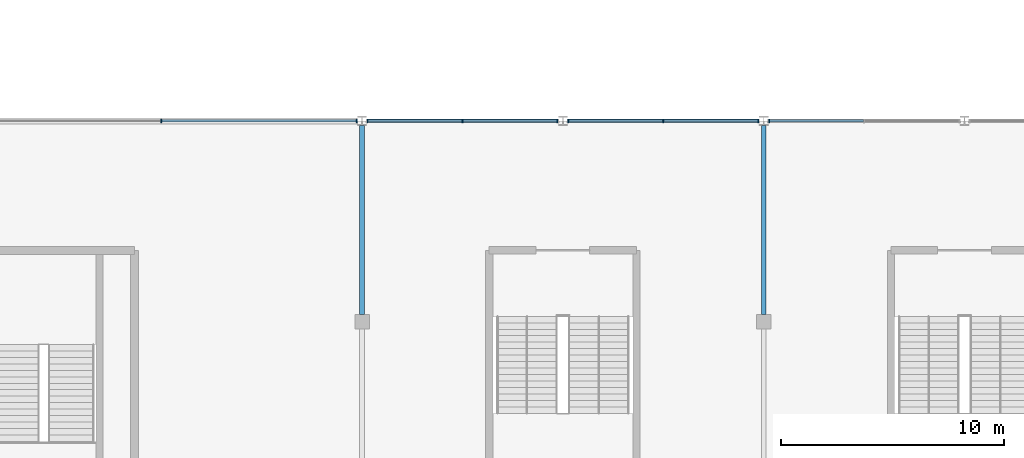
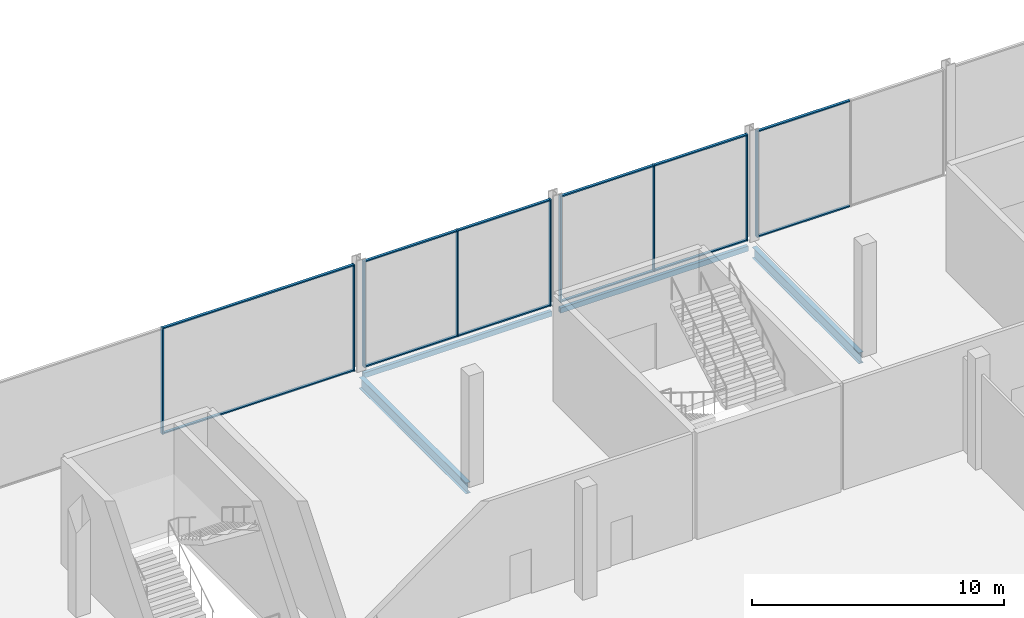
# One storey, part 23 of 111: 21 members, 4 beams, 4 elements without a shape of their own.
"""IFC4 building model written with IfcOpenShell, lengths in metres."""

import ifcopenshell
import ifcopenshell.guid

model = None  # the IFC model being written
_history = None  # IfcOwnerHistory: only IFC2X3 demands one
_inside = {}  # id of a spatial element -> (the spatial element, [elements in it])
_under = {}  # id of a project, library or spatial element -> (it, [spatial elements below it])
_declared = {}  # id of a project -> (the project, [libraries it declares])
_typed = {}  # id of a type object -> (the type object, [elements of that type])
_made_of = {}  # id of a material, layer set ... -> (it, [elements and type objects made of it])


def new_model(schema):
    """Start an empty IFC model of exactly this schema.

    Asked for "IFC4X3", IfcOpenShell would pick the latest addendum, in which some entities
    have other attributes; the version numbers below select the first issue.
    IFC2X3 requires an IfcOwnerHistory on every rooted entity: one is made here for all.
    """
    global model, _history
    if schema == "IFC4X3":
        model = ifcopenshell.file(schema_version=(4, 3, 0, 0))
    else:
        model = ifcopenshell.file(schema=schema)
    _inside.clear()
    _under.clear()
    _declared.clear()
    _typed.clear()
    _made_of.clear()
    _history = None
    if model.schema == "IFC2X3":
        org = make("IfcOrganization", Name="unknown")
        user = make(
            "IfcPersonAndOrganization",
            ThePerson=make("IfcPerson", FamilyName="unknown"),
            TheOrganization=org,
        )
        app = make(
            "IfcApplication",
            ApplicationDeveloper=org,
            Version="unknown",
            ApplicationFullName="unknown",
            ApplicationIdentifier="unknown",
        )
        _history = make(
            "IfcOwnerHistory",
            OwningUser=user,
            OwningApplication=app,
            ChangeAction="ADDED",
            CreationDate=0,
        )
    return model


def make(cls, **values):
    """One entity of the class cls with the attributes given. An attribute that is None is left unset."""
    return model.create_entity(
        cls, **{name: value for name, value in values.items() if value is not None}
    )


def rooted(cls, **values):
    """An entity with a GlobalId (a new one), such as an element, a storey or a relation."""
    return make(cls, GlobalId=ifcopenshell.guid.new(), OwnerHistory=_history, **values)


def si_unit(unit_type, name, prefix=None):
    """IfcSIUnit, for example si_unit("LENGTHUNIT", "METRE", prefix="MILLI")."""
    return make("IfcSIUnit", UnitType=unit_type, Prefix=prefix, Name=name)


def assignment(units):
    """IfcUnitAssignment: the units of a project."""
    return None if units is None else make("IfcUnitAssignment", Units=units)


def point(xyz):
    """IfcCartesianPoint."""
    return None if xyz is None else make("IfcCartesianPoint", Coordinates=xyz)


def direction(xyz):
    """IfcDirection."""
    return None if xyz is None else make("IfcDirection", DirectionRatios=xyz)


def frame(location, z_axis=None, x_axis=None):
    """IfcAxis2Placement3D, a coordinate frame: its origin and axes. An axis left out is left unset."""
    return make(
        "IfcAxis2Placement3D",
        Location=point(location),
        Axis=direction(z_axis),
        RefDirection=direction(x_axis),
    )


def frame_2d(location, x_axis=None):
    """IfcAxis2Placement2D, a coordinate frame in the plane: its origin and x axis."""
    return make(
        "IfcAxis2Placement2D", Location=point(location), RefDirection=direction(x_axis)
    )


def origin():
    """The frame at (0, 0, 0) with its axes left unset."""
    return frame((0.0, 0.0, 0.0))


def origin_2d():
    """The frame at (0, 0) in the plane with its x axis left unset."""
    return frame_2d((0.0, 0.0))


def place(relative_to, where):
    """IfcLocalPlacement: puts the frame where relative to a parent placement (None: the world)."""
    return make(
        "IfcLocalPlacement", PlacementRelTo=relative_to, RelativePlacement=where
    )


def context(
    kind, dimensions, precision=None, world=None, true_north=None, identifier=None
):
    """IfcGeometricRepresentationContext, for example the 3D "Model" context."""
    return make(
        "IfcGeometricRepresentationContext",
        ContextIdentifier=identifier,
        ContextType=kind,
        CoordinateSpaceDimension=dimensions,
        Precision=precision,
        WorldCoordinateSystem=world,
        TrueNorth=true_north,
    )


def subcontext(parent, identifier, kind, view, scale=None):
    """IfcGeometricRepresentationSubContext, for example "Body" below "Model"."""
    return make(
        "IfcGeometricRepresentationSubContext",
        ContextIdentifier=identifier,
        ContextType=kind,
        ParentContext=parent,
        TargetScale=scale,
        TargetView=view,
    )


def project(units=None, contexts=None):
    """IfcProject with its units and contexts."""
    return rooted(
        "IfcProject",
        Name="project",
        RepresentationContexts=contexts,
        UnitsInContext=assignment(units),
    )


def spatial(cls, under=None, at=None, **own):
    """A site, building, storey or space (cls), placed at a placement, below another one or the project."""
    s = rooted(cls, ObjectPlacement=at, **own)
    if under is not None:
        _under.setdefault(under.id(), (under, []))[1].append(s)
    return s


def profile(cls, at=None, kind="AREA", **sizes):
    """A parametric profile (cls). Its sizes go by their IFC names, for example OverallWidth=200.0."""
    return make(cls, ProfileType=kind, Position=at, **sizes)


def rectangle(**sizes):
    """IfcRectangleProfileDef."""
    return profile("IfcRectangleProfileDef", **sizes)


def hollow_rectangle(**sizes):
    """IfcRectangleHollowProfileDef."""
    return profile("IfcRectangleHollowProfileDef", **sizes)


def i_section(**sizes):
    """IfcIShapeProfileDef."""
    return profile("IfcIShapeProfileDef", **sizes)


def extrude(swept, where, along, depth):
    """IfcExtrudedAreaSolid: the profile swept, set in the frame where, extruded along a direction by depth."""
    return make(
        "IfcExtrudedAreaSolid",
        SweptArea=swept,
        Position=where,
        ExtrudedDirection=direction(along),
        Depth=depth,
    )


def shape(context_of_items, identifier, shape_type, items):
    """IfcShapeRepresentation: the items that make up one representation, for example the "Body"."""
    return make(
        "IfcShapeRepresentation",
        ContextOfItems=context_of_items,
        RepresentationIdentifier=identifier,
        RepresentationType=shape_type,
        Items=items,
    )


def material(Name=None, Category=None):
    """IfcMaterial."""
    return make("IfcMaterial", Name=Name, Category=Category)


def layer(
    of_material, thickness, ventilated=None, Name=None, Category=None, Priority=None
):
    """IfcMaterialLayer: one layer of a wall or slab, of a material (None: an air gap)."""
    return make(
        "IfcMaterialLayer",
        Material=of_material,
        LayerThickness=thickness,
        IsVentilated=ventilated,
        Name=Name,
        Category=Category,
        Priority=Priority,
    )


def layer_set(layers, Name=None):
    """IfcMaterialLayerSet."""
    return make("IfcMaterialLayerSet", MaterialLayers=layers, LayerSetName=Name)


def material_profile(
    of_material, cross_section, Name=None, Category=None, Priority=None
):
    """IfcMaterialProfile: a cross section and its material."""
    return make(
        "IfcMaterialProfile",
        Name=Name,
        Material=of_material,
        Profile=cross_section,
        Priority=Priority,
        Category=Category,
    )


def profile_set(profiles, Name=None, composite=None):
    """IfcMaterialProfileSet."""
    return make(
        "IfcMaterialProfileSet",
        Name=Name,
        MaterialProfiles=profiles,
        CompositeProfile=composite,
    )


def made_of(thing, what):
    """Note that an element or type object is made of a material, layer set ...; save() writes the relation."""
    if what is not None:
        _made_of.setdefault(what.id(), (what, []))[1].append(thing)
    return thing


def type_object(cls, material=None, **own):
    """A type object (cls), such as IfcWallType, which elements share."""
    return made_of(rooted(cls, **own), material)


def element(
    cls,
    number,
    at=None,
    inside=None,
    cuts=None,
    type_object=None,
    material=None,
    context=None,
    identifier="Body",
    shape_type=None,
    held_by="IfcProductDefinitionShape",
    body=None,
    shapes=None,
    **own,
):
    """One element of the class cls, such as IfcWall. Its Tag is "e" and its number.

    at: its placement. inside: the storey or other place that contains it. cuts: it is an
    opening in that element (IfcRelVoidsElement). A single representation is given by context,
    identifier, shape_type and body (its items); several are given by shapes. held_by: the class
    of the entity that holds the representations. save() writes the other relations.
    """
    e = rooted(cls, Tag="e%d" % number, ObjectPlacement=at, **own)
    if body is not None:
        shapes = [shape(context, identifier, shape_type, body)]
    if shapes is not None:
        e.Representation = make(held_by, Representations=shapes)
    if inside is not None:
        _inside.setdefault(inside.id(), (inside, []))[1].append(e)
    if cuts is not None:
        rooted(
            "IfcRelVoidsElement", RelatingBuildingElement=cuts, RelatedOpeningElement=e
        )
    if type_object is not None:
        _typed.setdefault(type_object.id(), (type_object, []))[1].append(e)
    return made_of(e, material)


def aggregate(whole, parts):
    """IfcRelAggregates: a whole, such as a stair, and the parts it consists of."""
    return rooted("IfcRelAggregates", RelatingObject=whole, RelatedObjects=parts)


def save(model, path):
    """Write the relations noted so far, then the file.

    IfcRelAggregates (storeys below a building ...), IfcRelContainedInSpatialStructure (elements
    in a storey), IfcRelDefinesByType, IfcRelAssociatesMaterial and IfcRelDeclares: one each for
    every whole, place, type object, material and project.
    """
    for whole, parts in _under.values():
        aggregate(whole, parts)
    for where, things in _inside.values():
        rooted(
            "IfcRelContainedInSpatialStructure",
            RelatedElements=things,
            RelatingStructure=where,
        )
    for kind, things in _typed.values():
        rooted("IfcRelDefinesByType", RelatedObjects=things, RelatingType=kind)
    for what, things in _made_of.values():
        rooted("IfcRelAssociatesMaterial", RelatedObjects=things, RelatingMaterial=what)
    for by, libraries in _declared.values():
        rooted("IfcRelDeclares", RelatingContext=by, RelatedDefinitions=libraries)
    model.write(path)


model = new_model("IFC4")

# Units and contexts
model_context = context("Model", 3, precision=1e-05, world=origin(), true_north=direction((0.0, 1.0)))
body_context = subcontext(model_context, "Body", "Model", "MODEL_VIEW")
ifc_project = project(units=[si_unit("LENGTHUNIT", "METRE"), si_unit("AREAUNIT", "SQUARE_METRE"), si_unit("VOLUMEUNIT", "CUBIC_METRE"), si_unit("PLANEANGLEUNIT", "RADIAN"), si_unit("MASSUNIT", "GRAM", prefix="KILO")], contexts=[model_context])

# Site, building, storey
site_placement = place(None, origin())
site = spatial("IfcSite", under=ifc_project, at=site_placement, CompositionType="ELEMENT")
building_placement = place(site_placement, origin())
building = spatial("IfcBuilding", under=site, at=building_placement, Name="Kisiwana Market Hall", CompositionType="ELEMENT")
storey_placement = place(building_placement, frame((0.0, 0.0, 11.39990234375)))
storey = spatial("IfcBuildingStorey", under=building, at=storey_placement, Name="L02", CompositionType="ELEMENT", Elevation=11.39990234375)

# Beams
ifc_material_1 = material(Name="Steel S355", Category="steel")
ifc_material_profile_1 = material_profile(ifc_material_1, i_section(OverallWidth=0.209228515625, OverallDepth=0.533203125, WebThickness=0.010009765625, FlangeThickness=0.015625, at=origin_2d()), Name="UB 533x210x92")
ifc_profile_set_1 = profile_set([ifc_material_profile_1], Name="Steel S355")
beam_type_1 = type_object("IfcBeamType", Name="BM-GIRD-UB533", PredefinedType="BEAM", material=ifc_profile_set_1)
for number, where, z_axis, x_axis, name in (
    (1, (81.0, 27.321044921875, -0.516357421875), (0.0, 1.0, 0.0), (-1.0, 0.0, 0.0), "Primary girder B-0639"),
    (2, (99.0, 27.321044921875, -0.516357421875), (0.0, 1.0, 0.0), (-1.0, 0.0, 0.0), "Primary girder B-0645"),
):
    element("IfcBeam", number, at=place(storey_placement, frame(where, z_axis=z_axis, x_axis=x_axis)), inside=storey, type_object=beam_type_1, Name=name, PredefinedType="BEAM", context=body_context, shape_type="SweptSolid", body=[
        extrude(i_section(OverallWidth=0.209228515625, OverallDepth=0.533203125, WebThickness=0.010009765625, FlangeThickness=0.015625, at=origin_2d()), origin(), (0.0, 0.0, 1.0), 8.465576171875),
    ])
ifc_material_2 = material(Name="Steel S355", Category="steel")
ifc_material_profile_2 = material_profile(ifc_material_2, hollow_rectangle(XDim=0.14990234375, YDim=0.25, WallThickness=0.010009765625, at=origin_2d()), Name="RHS 250x150x10.0")
ifc_profile_set_2 = profile_set([ifc_material_profile_2], Name="Steel S355")
beam_type_2 = type_object("IfcBeamType", Name="BM-SPAN-RHS250", PredefinedType="SPANDREL", material=ifc_profile_set_2)
for number, where, z_axis, x_axis, name in (
    (3, (81.201904296875, 36.0, -0.375), (1.0, 0.0, 0.0), (0.0, 1.0, 0.0), "Floor beam B-0761"),
    (4, (90.201904296875, 36.0, -0.375), (1.0, 0.0, 0.0), (0.0, 1.0, 0.0), "Floor beam B-0762"),
):
    element("IfcBeam", number, at=place(storey_placement, frame(where, z_axis=z_axis, x_axis=x_axis)), inside=storey, type_object=beam_type_2, Name=name, PredefinedType="SPANDREL", context=body_context, shape_type="SweptSolid", body=[
        extrude(hollow_rectangle(XDim=0.14990234375, YDim=0.25, WallThickness=0.010009765625, at=origin_2d()), origin(), (0.0, 0.0, 1.0), 8.59619140625),
    ])

# Curtain wall, members
ifc_material_3 = material(Name="Double-glazed solar-control low-E IGU", Category="glass")
ifc_layer = layer(ifc_material_3, 0.159912109375)
ifc_layer_set = layer_set([ifc_layer], Name="CW-GLD-E-7200")
curtain_wall_type = type_object("IfcCurtainWallType", Name="CW-GLD-E-7200", PredefinedType="USERDEFINED", material=ifc_layer_set)
curtain_wall_1_placement = place(storey_placement, origin())
curtain_wall_1 = element("IfcCurtainWall", 5, at=curtain_wall_1_placement, inside=storey, type_object=curtain_wall_type, Name="Unitised curtain wall CW-064 (L02)", ObjectType="UNITISED CURTAIN WALL", PredefinedType="USERDEFINED")
ifc_material_4 = material(Name="Aluminium alloy 6063-T6", Category="aluminium")
ifc_material_profile_3 = material_profile(ifc_material_4, rectangle(XDim=0.06005859375, YDim=0.159912109375, at=origin_2d()), Name="ALU MULLION 60x160")
ifc_profile_set_3 = profile_set([ifc_material_profile_3], Name="Aluminium alloy 6063-T6")
member_type_1 = type_object("IfcMemberType", Name="CW-MULL-60x160", PredefinedType="MULLION", material=ifc_profile_set_3)
member_1_placement = place(storey_placement, frame((72.0, 36.0, 0.0), z_axis=(0.0, 0.0, 1.0), x_axis=(1.0, 0.0, 0.0)))
member_1 = element("IfcMember", 6, at=member_1_placement, type_object=member_type_1, Name="CW-064 mullion 2", PredefinedType="MULLION", context=body_context, shape_type="SweptSolid", body=[
    extrude(rectangle(XDim=0.06005859375, YDim=0.159912109375, at=origin_2d()), origin(), (0.0, 0.0, 1.0), 5.150146484375),
])
member_2_placement = place(storey_placement, frame((80.763916015625, 36.0, 0.0), z_axis=(0.0, 0.0, 1.0), x_axis=(1.0, 0.0, 0.0)))
member_2 = element("IfcMember", 7, at=member_2_placement, type_object=member_type_1, Name="CW-064 mullion 3", PredefinedType="MULLION", context=body_context, shape_type="SweptSolid", body=[
    extrude(rectangle(XDim=0.06005859375, YDim=0.159912109375, at=origin_2d()), origin(), (0.0, 0.0, 1.0), 5.150146484375),
])

curtain_wall_2_placement = place(storey_placement, origin())
curtain_wall_2 = element("IfcCurtainWall", 8, at=curtain_wall_2_placement, inside=storey, type_object=curtain_wall_type, Name="Unitised curtain wall CW-065 (L02)", ObjectType="UNITISED CURTAIN WALL", PredefinedType="USERDEFINED")
member_3_placement = place(storey_placement, frame((81.236083984375, 36.0, 0.0), z_axis=(0.0, 0.0, 1.0), x_axis=(1.0, 0.0, 0.0)))
member_3 = element("IfcMember", 9, at=member_3_placement, type_object=member_type_1, Name="CW-065 mullion 1", PredefinedType="MULLION", context=body_context, shape_type="SweptSolid", body=[
    extrude(rectangle(XDim=0.06005859375, YDim=0.159912109375, at=origin_2d()), origin(), (0.0, 0.0, 1.0), 5.150146484375),
])
member_4_placement = place(storey_placement, frame((85.5, 36.0, 0.0), z_axis=(0.0, 0.0, 1.0), x_axis=(1.0, 0.0, 0.0)))
member_4 = element("IfcMember", 10, at=member_4_placement, type_object=member_type_1, Name="CW-065 mullion 2", PredefinedType="MULLION", context=body_context, shape_type="SweptSolid", body=[
    extrude(rectangle(XDim=0.06005859375, YDim=0.159912109375, at=origin_2d()), origin(), (0.0, 0.0, 1.0), 5.150146484375),
])
member_5_placement = place(storey_placement, frame((89.763916015625, 36.0, 0.0), z_axis=(0.0, 0.0, 1.0), x_axis=(1.0, 0.0, 0.0)))
member_5 = element("IfcMember", 11, at=member_5_placement, type_object=member_type_1, Name="CW-065 mullion 3", PredefinedType="MULLION", context=body_context, shape_type="SweptSolid", body=[
    extrude(rectangle(XDim=0.06005859375, YDim=0.159912109375, at=origin_2d()), origin(), (0.0, 0.0, 1.0), 5.150146484375),
])

curtain_wall_3_placement = place(storey_placement, origin())
curtain_wall_3 = element("IfcCurtainWall", 12, at=curtain_wall_3_placement, inside=storey, type_object=curtain_wall_type, Name="Unitised curtain wall CW-066 (L02)", ObjectType="UNITISED CURTAIN WALL", PredefinedType="USERDEFINED")
member_6_placement = place(storey_placement, frame((90.236083984375, 36.0, 0.0), z_axis=(0.0, 0.0, 1.0), x_axis=(1.0, 0.0, 0.0)))
member_6 = element("IfcMember", 13, at=member_6_placement, type_object=member_type_1, Name="CW-066 mullion 1", PredefinedType="MULLION", context=body_context, shape_type="SweptSolid", body=[
    extrude(rectangle(XDim=0.06005859375, YDim=0.159912109375, at=origin_2d()), origin(), (0.0, 0.0, 1.0), 5.150146484375),
])
member_7_placement = place(storey_placement, frame((94.5, 36.0, 0.0), z_axis=(0.0, 0.0, 1.0), x_axis=(1.0, 0.0, 0.0)))
member_7 = element("IfcMember", 14, at=member_7_placement, type_object=member_type_1, Name="CW-066 mullion 2", PredefinedType="MULLION", context=body_context, shape_type="SweptSolid", body=[
    extrude(rectangle(XDim=0.06005859375, YDim=0.159912109375, at=origin_2d()), origin(), (0.0, 0.0, 1.0), 5.150146484375),
])
member_8_placement = place(storey_placement, frame((98.763916015625, 36.0, 0.0), z_axis=(0.0, 0.0, 1.0), x_axis=(1.0, 0.0, 0.0)))
member_8 = element("IfcMember", 15, at=member_8_placement, type_object=member_type_1, Name="CW-066 mullion 3", PredefinedType="MULLION", context=body_context, shape_type="SweptSolid", body=[
    extrude(rectangle(XDim=0.06005859375, YDim=0.159912109375, at=origin_2d()), origin(), (0.0, 0.0, 1.0), 5.150146484375),
])

# Curtain wall, member
curtain_wall_4_placement = place(storey_placement, origin())
curtain_wall_4 = element("IfcCurtainWall", 16, at=curtain_wall_4_placement, inside=storey, type_object=curtain_wall_type, Name="Unitised curtain wall CW-067 (L02)", ObjectType="UNITISED CURTAIN WALL", PredefinedType="USERDEFINED")
member_9_placement = place(storey_placement, frame((99.236083984375, 36.0, 0.0), z_axis=(0.0, 0.0, 1.0), x_axis=(1.0, 0.0, 0.0)))
member_9 = element("IfcMember", 17, at=member_9_placement, type_object=member_type_1, Name="CW-067 mullion 1", PredefinedType="MULLION", context=body_context, shape_type="SweptSolid", body=[
    extrude(rectangle(XDim=0.06005859375, YDim=0.159912109375, at=origin_2d()), origin(), (0.0, 0.0, 1.0), 5.150146484375),
])

# Member
ifc_material_5 = material(Name="Aluminium alloy 6063-T6", Category="aluminium")
ifc_material_profile_4 = material_profile(ifc_material_5, rectangle(XDim=0.1201171875, YDim=0.06005859375, at=origin_2d()), Name="ALU TRANSOM 60x120")
ifc_profile_set_4 = profile_set([ifc_material_profile_4], Name="Aluminium alloy 6063-T6")
member_type_2 = type_object("IfcMemberType", Name="CW-TRAN-60x120", PredefinedType="USERDEFINED", material=ifc_profile_set_4)
member_10_placement = place(storey_placement, frame((72.030029296875, 36.0, 0.030029296875), z_axis=(1.0, 0.0, 0.0), x_axis=(0.0, 1.0, 0.0)))
member_10 = element("IfcMember", 18, at=member_10_placement, type_object=member_type_2, Name="CW-064 transom 2.1", ObjectType="TRANSOM", PredefinedType="USERDEFINED", context=body_context, shape_type="SweptSolid", body=[
    extrude(rectangle(XDim=0.1201171875, YDim=0.06005859375, at=origin_2d()), origin(), (0.0, 0.0, 1.0), 8.703857421875),
])

member_11_placement = place(storey_placement, frame((72.030029296875, 36.0, 5.1201171875), z_axis=(1.0, 0.0, 0.0), x_axis=(0.0, 1.0, 0.0)))
member_11 = element("IfcMember", 19, at=member_11_placement, type_object=member_type_2, Name="CW-064 transom 2.2", ObjectType="TRANSOM", PredefinedType="USERDEFINED", context=body_context, shape_type="SweptSolid", body=[
    extrude(rectangle(XDim=0.1201171875, YDim=0.06005859375, at=origin_2d()), origin(), (0.0, 0.0, 1.0), 8.703857421875),
])

aggregate(curtain_wall_1, [member_1, member_2, member_10, member_11])

member_12_placement = place(storey_placement, frame((81.26611328125, 36.0, 0.030029296875), z_axis=(1.0, 0.0, 0.0), x_axis=(0.0, 1.0, 0.0)))
member_12 = element("IfcMember", 20, at=member_12_placement, type_object=member_type_2, Name="CW-065 transom 1.1", ObjectType="TRANSOM", PredefinedType="USERDEFINED", context=body_context, shape_type="SweptSolid", body=[
    extrude(rectangle(XDim=0.1201171875, YDim=0.06005859375, at=origin_2d()), origin(), (0.0, 0.0, 1.0), 4.203857421875),
])

member_13_placement = place(storey_placement, frame((81.26611328125, 36.0, 5.1201171875), z_axis=(1.0, 0.0, 0.0), x_axis=(0.0, 1.0, 0.0)))
member_13 = element("IfcMember", 21, at=member_13_placement, type_object=member_type_2, Name="CW-065 transom 1.2", ObjectType="TRANSOM", PredefinedType="USERDEFINED", context=body_context, shape_type="SweptSolid", body=[
    extrude(rectangle(XDim=0.1201171875, YDim=0.06005859375, at=origin_2d()), origin(), (0.0, 0.0, 1.0), 4.203857421875),
])

member_14_placement = place(storey_placement, frame((85.530029296875, 36.0, 0.030029296875), z_axis=(1.0, 0.0, 0.0), x_axis=(0.0, 1.0, 0.0)))
member_14 = element("IfcMember", 22, at=member_14_placement, type_object=member_type_2, Name="CW-065 transom 2.1", ObjectType="TRANSOM", PredefinedType="USERDEFINED", context=body_context, shape_type="SweptSolid", body=[
    extrude(rectangle(XDim=0.1201171875, YDim=0.06005859375, at=origin_2d()), origin(), (0.0, 0.0, 1.0), 4.203857421875),
])

member_15_placement = place(storey_placement, frame((85.530029296875, 36.0, 5.1201171875), z_axis=(1.0, 0.0, 0.0), x_axis=(0.0, 1.0, 0.0)))
member_15 = element("IfcMember", 23, at=member_15_placement, type_object=member_type_2, Name="CW-065 transom 2.2", ObjectType="TRANSOM", PredefinedType="USERDEFINED", context=body_context, shape_type="SweptSolid", body=[
    extrude(rectangle(XDim=0.1201171875, YDim=0.06005859375, at=origin_2d()), origin(), (0.0, 0.0, 1.0), 4.203857421875),
])

aggregate(curtain_wall_2, [member_3, member_4, member_5, member_12, member_13, member_14, member_15])

member_16_placement = place(storey_placement, frame((90.26611328125, 36.0, 0.030029296875), z_axis=(1.0, 0.0, 0.0), x_axis=(0.0, 1.0, 0.0)))
member_16 = element("IfcMember", 24, at=member_16_placement, type_object=member_type_2, Name="CW-066 transom 1.1", ObjectType="TRANSOM", PredefinedType="USERDEFINED", context=body_context, shape_type="SweptSolid", body=[
    extrude(rectangle(XDim=0.1201171875, YDim=0.06005859375, at=origin_2d()), origin(), (0.0, 0.0, 1.0), 4.203857421875),
])

member_17_placement = place(storey_placement, frame((90.26611328125, 36.0, 5.1201171875), z_axis=(1.0, 0.0, 0.0), x_axis=(0.0, 1.0, 0.0)))
member_17 = element("IfcMember", 25, at=member_17_placement, type_object=member_type_2, Name="CW-066 transom 1.2", ObjectType="TRANSOM", PredefinedType="USERDEFINED", context=body_context, shape_type="SweptSolid", body=[
    extrude(rectangle(XDim=0.1201171875, YDim=0.06005859375, at=origin_2d()), origin(), (0.0, 0.0, 1.0), 4.203857421875),
])

member_18_placement = place(storey_placement, frame((94.530029296875, 36.0, 0.030029296875), z_axis=(1.0, 0.0, 0.0), x_axis=(0.0, 1.0, 0.0)))
member_18 = element("IfcMember", 26, at=member_18_placement, type_object=member_type_2, Name="CW-066 transom 2.1", ObjectType="TRANSOM", PredefinedType="USERDEFINED", context=body_context, shape_type="SweptSolid", body=[
    extrude(rectangle(XDim=0.1201171875, YDim=0.06005859375, at=origin_2d()), origin(), (0.0, 0.0, 1.0), 4.203857421875),
])

member_19_placement = place(storey_placement, frame((94.530029296875, 36.0, 5.1201171875), z_axis=(1.0, 0.0, 0.0), x_axis=(0.0, 1.0, 0.0)))
member_19 = element("IfcMember", 27, at=member_19_placement, type_object=member_type_2, Name="CW-066 transom 2.2", ObjectType="TRANSOM", PredefinedType="USERDEFINED", context=body_context, shape_type="SweptSolid", body=[
    extrude(rectangle(XDim=0.1201171875, YDim=0.06005859375, at=origin_2d()), origin(), (0.0, 0.0, 1.0), 4.203857421875),
])

aggregate(curtain_wall_3, [member_6, member_7, member_8, member_16, member_17, member_18, member_19])

member_20_placement = place(storey_placement, frame((99.26611328125, 36.0, 0.030029296875), z_axis=(1.0, 0.0, 0.0), x_axis=(0.0, 1.0, 0.0)))
member_20 = element("IfcMember", 28, at=member_20_placement, type_object=member_type_2, Name="CW-067 transom 1.1", ObjectType="TRANSOM", PredefinedType="USERDEFINED", context=body_context, shape_type="SweptSolid", body=[
    extrude(rectangle(XDim=0.1201171875, YDim=0.06005859375, at=origin_2d()), origin(), (0.0, 0.0, 1.0), 4.203857421875),
])

member_21_placement = place(storey_placement, frame((99.26611328125, 36.0, 5.1201171875), z_axis=(1.0, 0.0, 0.0), x_axis=(0.0, 1.0, 0.0)))
member_21 = element("IfcMember", 29, at=member_21_placement, type_object=member_type_2, Name="CW-067 transom 1.2", ObjectType="TRANSOM", PredefinedType="USERDEFINED", context=body_context, shape_type="SweptSolid", body=[
    extrude(rectangle(XDim=0.1201171875, YDim=0.06005859375, at=origin_2d()), origin(), (0.0, 0.0, 1.0), 4.203857421875),
])

aggregate(curtain_wall_4, [member_9, member_20, member_21])

save(model, "model.ifc")
